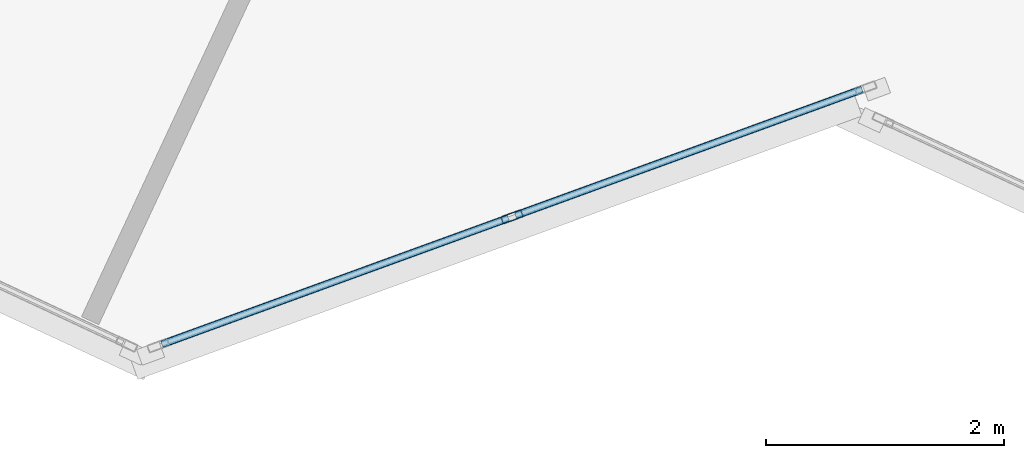
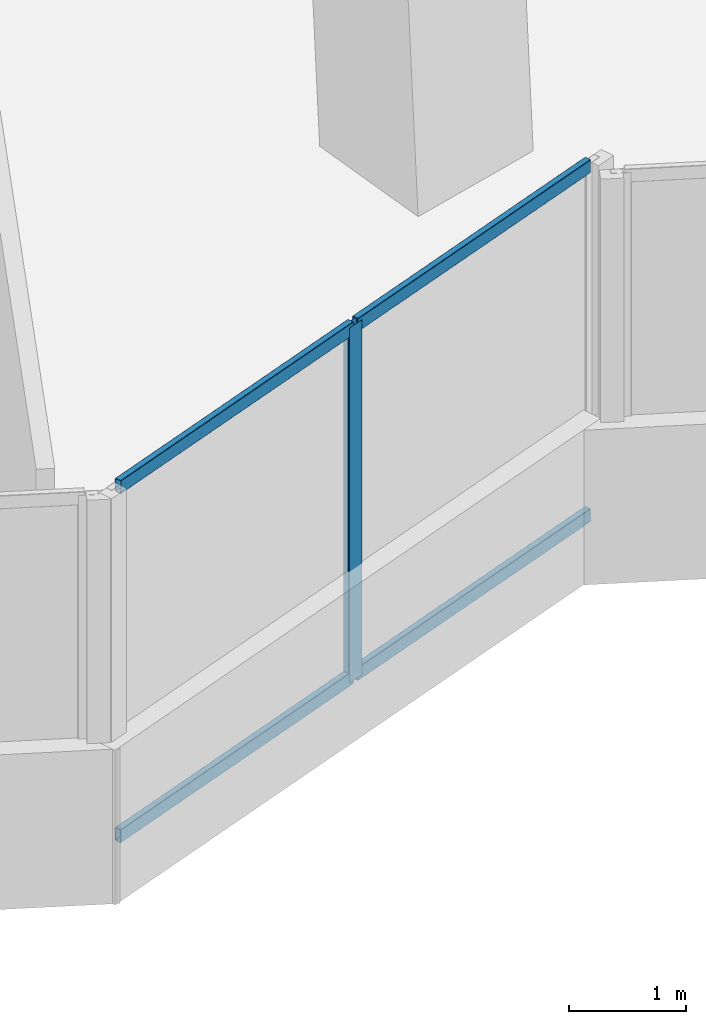
# One storey, part 5 of 23: 5 members, 1 element without a shape of its own.
"""IFC4 building model written with IfcOpenShell, lengths in metres."""

import ifcopenshell
import ifcopenshell.guid

model = None  # the IFC model being written
_history = None  # IfcOwnerHistory: only IFC2X3 demands one
_inside = {}  # id of a spatial element -> (the spatial element, [elements in it])
_under = {}  # id of a project, library or spatial element -> (it, [spatial elements below it])
_declared = {}  # id of a project -> (the project, [libraries it declares])
_typed = {}  # id of a type object -> (the type object, [elements of that type])
_made_of = {}  # id of a material, layer set ... -> (it, [elements and type objects made of it])


def new_model(schema):
    """Start an empty IFC model of exactly this schema.

    Asked for "IFC4X3", IfcOpenShell would pick the latest addendum, in which some entities
    have other attributes; the version numbers below select the first issue.
    IFC2X3 requires an IfcOwnerHistory on every rooted entity: one is made here for all.
    """
    global model, _history
    if schema == "IFC4X3":
        model = ifcopenshell.file(schema_version=(4, 3, 0, 0))
    else:
        model = ifcopenshell.file(schema=schema)
    _inside.clear()
    _under.clear()
    _declared.clear()
    _typed.clear()
    _made_of.clear()
    _history = None
    if model.schema == "IFC2X3":
        org = make("IfcOrganization", Name="unknown")
        user = make(
            "IfcPersonAndOrganization",
            ThePerson=make("IfcPerson", FamilyName="unknown"),
            TheOrganization=org,
        )
        app = make(
            "IfcApplication",
            ApplicationDeveloper=org,
            Version="unknown",
            ApplicationFullName="unknown",
            ApplicationIdentifier="unknown",
        )
        _history = make(
            "IfcOwnerHistory",
            OwningUser=user,
            OwningApplication=app,
            ChangeAction="ADDED",
            CreationDate=0,
        )
    return model


def make(cls, **values):
    """One entity of the class cls with the attributes given. An attribute that is None is left unset."""
    return model.create_entity(
        cls, **{name: value for name, value in values.items() if value is not None}
    )


def rooted(cls, **values):
    """An entity with a GlobalId (a new one), such as an element, a storey or a relation."""
    return make(cls, GlobalId=ifcopenshell.guid.new(), OwnerHistory=_history, **values)


def si_unit(unit_type, name, prefix=None):
    """IfcSIUnit, for example si_unit("LENGTHUNIT", "METRE", prefix="MILLI")."""
    return make("IfcSIUnit", UnitType=unit_type, Prefix=prefix, Name=name)


def assignment(units):
    """IfcUnitAssignment: the units of a project."""
    return None if units is None else make("IfcUnitAssignment", Units=units)


def point(xyz):
    """IfcCartesianPoint."""
    return None if xyz is None else make("IfcCartesianPoint", Coordinates=xyz)


def direction(xyz):
    """IfcDirection."""
    return None if xyz is None else make("IfcDirection", DirectionRatios=xyz)


def frame(location, z_axis=None, x_axis=None):
    """IfcAxis2Placement3D, a coordinate frame: its origin and axes. An axis left out is left unset."""
    return make(
        "IfcAxis2Placement3D",
        Location=point(location),
        Axis=direction(z_axis),
        RefDirection=direction(x_axis),
    )


def frame_2d(location, x_axis=None):
    """IfcAxis2Placement2D, a coordinate frame in the plane: its origin and x axis."""
    return make(
        "IfcAxis2Placement2D", Location=point(location), RefDirection=direction(x_axis)
    )


def origin():
    """The frame at (0, 0, 0) with its axes left unset."""
    return frame((0.0, 0.0, 0.0))


def origin_2d():
    """The frame at (0, 0) in the plane with its x axis left unset."""
    return frame_2d((0.0, 0.0))


def place(relative_to, where):
    """IfcLocalPlacement: puts the frame where relative to a parent placement (None: the world)."""
    return make(
        "IfcLocalPlacement", PlacementRelTo=relative_to, RelativePlacement=where
    )


def context(
    kind, dimensions, precision=None, world=None, true_north=None, identifier=None
):
    """IfcGeometricRepresentationContext, for example the 3D "Model" context."""
    return make(
        "IfcGeometricRepresentationContext",
        ContextIdentifier=identifier,
        ContextType=kind,
        CoordinateSpaceDimension=dimensions,
        Precision=precision,
        WorldCoordinateSystem=world,
        TrueNorth=true_north,
    )


def subcontext(parent, identifier, kind, view, scale=None):
    """IfcGeometricRepresentationSubContext, for example "Body" below "Model"."""
    return make(
        "IfcGeometricRepresentationSubContext",
        ContextIdentifier=identifier,
        ContextType=kind,
        ParentContext=parent,
        TargetScale=scale,
        TargetView=view,
    )


def project(units=None, contexts=None):
    """IfcProject with its units and contexts."""
    return rooted(
        "IfcProject",
        Name="project",
        RepresentationContexts=contexts,
        UnitsInContext=assignment(units),
    )


def spatial(cls, under=None, at=None, **own):
    """A site, building, storey or space (cls), placed at a placement, below another one or the project."""
    s = rooted(cls, ObjectPlacement=at, **own)
    if under is not None:
        _under.setdefault(under.id(), (under, []))[1].append(s)
    return s


def profile(cls, at=None, kind="AREA", **sizes):
    """A parametric profile (cls). Its sizes go by their IFC names, for example OverallWidth=200.0."""
    return make(cls, ProfileType=kind, Position=at, **sizes)


def hollow_rectangle(**sizes):
    """IfcRectangleHollowProfileDef."""
    return profile("IfcRectangleHollowProfileDef", **sizes)


def extrude(swept, where, along, depth):
    """IfcExtrudedAreaSolid: the profile swept, set in the frame where, extruded along a direction by depth."""
    return make(
        "IfcExtrudedAreaSolid",
        SweptArea=swept,
        Position=where,
        ExtrudedDirection=direction(along),
        Depth=depth,
    )


def shape(context_of_items, identifier, shape_type, items):
    """IfcShapeRepresentation: the items that make up one representation, for example the "Body"."""
    return make(
        "IfcShapeRepresentation",
        ContextOfItems=context_of_items,
        RepresentationIdentifier=identifier,
        RepresentationType=shape_type,
        Items=items,
    )


def source(mapping_origin, context_of_items, identifier, shape_type, items):
    """IfcRepresentationMap: a shape defined once, which mapped items show again and again."""
    return make(
        "IfcRepresentationMap",
        MappingOrigin=mapping_origin,
        MappedRepresentation=shape(context_of_items, identifier, shape_type, items),
    )


def transform(
    local_origin,
    x_axis=None,
    y_axis=None,
    z_axis=None,
    scale=None,
    scale2=None,
    scale3=None,
    uniform=True,
):
    """IfcCartesianTransformationOperator3D, or its non-uniform kind. x_axis, y_axis, z_axis: its Axis1, 2, 3."""
    if uniform:
        return make(
            "IfcCartesianTransformationOperator3D",
            Axis1=direction(x_axis),
            Axis2=direction(y_axis),
            LocalOrigin=point(local_origin),
            Scale=scale,
            Axis3=direction(z_axis),
        )
    return make(
        "IfcCartesianTransformationOperator3DnonUniform",
        Axis1=direction(x_axis),
        Axis2=direction(y_axis),
        LocalOrigin=point(local_origin),
        Scale=scale,
        Axis3=direction(z_axis),
        Scale2=scale2,
        Scale3=scale3,
    )


def mapped(mapping_source, mapping_target):
    """IfcMappedItem: shows the shape of a source again, moved by a transform."""
    return make(
        "IfcMappedItem", MappingSource=mapping_source, MappingTarget=mapping_target
    )


def material(Name=None, Category=None):
    """IfcMaterial."""
    return make("IfcMaterial", Name=Name, Category=Category)


def material_profile(
    of_material, cross_section, Name=None, Category=None, Priority=None
):
    """IfcMaterialProfile: a cross section and its material."""
    return make(
        "IfcMaterialProfile",
        Name=Name,
        Material=of_material,
        Profile=cross_section,
        Priority=Priority,
        Category=Category,
    )


def profile_set(profiles, Name=None, composite=None):
    """IfcMaterialProfileSet."""
    return make(
        "IfcMaterialProfileSet",
        Name=Name,
        MaterialProfiles=profiles,
        CompositeProfile=composite,
    )


def made_of(thing, what):
    """Note that an element or type object is made of a material, layer set ...; save() writes the relation."""
    if what is not None:
        _made_of.setdefault(what.id(), (what, []))[1].append(thing)
    return thing


def type_object(cls, material=None, **own):
    """A type object (cls), such as IfcWallType, which elements share."""
    return made_of(rooted(cls, **own), material)


def element(
    cls,
    number,
    at=None,
    inside=None,
    cuts=None,
    type_object=None,
    material=None,
    context=None,
    identifier="Body",
    shape_type=None,
    held_by="IfcProductDefinitionShape",
    body=None,
    shapes=None,
    **own,
):
    """One element of the class cls, such as IfcWall. Its Tag is "e" and its number.

    at: its placement. inside: the storey or other place that contains it. cuts: it is an
    opening in that element (IfcRelVoidsElement). A single representation is given by context,
    identifier, shape_type and body (its items); several are given by shapes. held_by: the class
    of the entity that holds the representations. save() writes the other relations.
    """
    e = rooted(cls, Tag="e%d" % number, ObjectPlacement=at, **own)
    if body is not None:
        shapes = [shape(context, identifier, shape_type, body)]
    if shapes is not None:
        e.Representation = make(held_by, Representations=shapes)
    if inside is not None:
        _inside.setdefault(inside.id(), (inside, []))[1].append(e)
    if cuts is not None:
        rooted(
            "IfcRelVoidsElement", RelatingBuildingElement=cuts, RelatedOpeningElement=e
        )
    if type_object is not None:
        _typed.setdefault(type_object.id(), (type_object, []))[1].append(e)
    return made_of(e, material)


def aggregate(whole, parts):
    """IfcRelAggregates: a whole, such as a stair, and the parts it consists of."""
    return rooted("IfcRelAggregates", RelatingObject=whole, RelatedObjects=parts)


def save(model, path):
    """Write the relations noted so far, then the file.

    IfcRelAggregates (storeys below a building ...), IfcRelContainedInSpatialStructure (elements
    in a storey), IfcRelDefinesByType, IfcRelAssociatesMaterial and IfcRelDeclares: one each for
    every whole, place, type object, material and project.
    """
    for whole, parts in _under.values():
        aggregate(whole, parts)
    for where, things in _inside.values():
        rooted(
            "IfcRelContainedInSpatialStructure",
            RelatedElements=things,
            RelatingStructure=where,
        )
    for kind, things in _typed.values():
        rooted("IfcRelDefinesByType", RelatedObjects=things, RelatingType=kind)
    for what, things in _made_of.values():
        rooted("IfcRelAssociatesMaterial", RelatedObjects=things, RelatingMaterial=what)
    for by, libraries in _declared.values():
        rooted("IfcRelDeclares", RelatingContext=by, RelatedDefinitions=libraries)
    model.write(path)


model = new_model("IFC4")

# Units and contexts
model_context = context("Model", 3, precision=1e-05, world=origin(), true_north=direction((0.0, 1.0)))
body_context = subcontext(model_context, "Body", "Model", "MODEL_VIEW")
ifc_project = project(units=[si_unit("LENGTHUNIT", "METRE"), si_unit("AREAUNIT", "SQUARE_METRE"), si_unit("VOLUMEUNIT", "CUBIC_METRE"), si_unit("PLANEANGLEUNIT", "RADIAN"), si_unit("MASSUNIT", "GRAM", prefix="KILO")], contexts=[model_context])

# Site, building, storey
site_placement = place(None, origin())
site = spatial("IfcSite", under=ifc_project, at=site_placement, CompositionType="ELEMENT")
building_placement = place(site_placement, origin())
building = spatial("IfcBuilding", under=site, at=building_placement, Name="Torre Montelarca", CompositionType="ELEMENT")
storey_placement = place(building_placement, frame((0.0, 0.0, 158.199951171875)))
storey = spatial("IfcBuildingStorey", under=building, at=storey_placement, Name="L35", CompositionType="ELEMENT", Elevation=158.199951171875)

# Curtain wall, members
ifc_material_1 = material(Name="Insulated low-E laminated glass", Category="glass")
curtain_wall_type = type_object("IfcCurtainWallType", Name="CW-SYS-Z2", PredefinedType="USERDEFINED", material=ifc_material_1)
curtain_wall_placement = place(storey_placement, origin())
curtain_wall = element("IfcCurtainWall", 1, at=curtain_wall_placement, inside=storey, type_object=curtain_wall_type, Name="L35 Curtain Wall Run CW-T3-L35-E02-B1", ObjectType="UNITISED GLAZING", PredefinedType="USERDEFINED")
ifc_material_2 = material(Name="Anodised aluminium AA 6063-T6", Category="aluminium")
ifc_material_profile_1 = material_profile(ifc_material_2, hollow_rectangle(XDim=0.06494140625, YDim=0.139892578125, WallThickness=0.00390625, InnerFilletRadius=0.00390625, OuterFilletRadius=0.008056640625, at=origin_2d()), Name="ALU65X140X4", Category="aluminium")
ifc_profile_set_1 = profile_set([ifc_material_profile_1], Name="Anodised aluminium AA 6063-T6")
member_type_1 = type_object("IfcMemberType", Name="CWT-ALU140", PredefinedType="USERDEFINED", material=ifc_profile_set_1)
shared_shape_1 = source(origin(), body_context, "Body", "SweptSolid", [
    extrude(hollow_rectangle(XDim=0.06494140625, YDim=0.139892578125, WallThickness=0.00390625, InnerFilletRadius=0.00390625, OuterFilletRadius=0.008056640625, at=origin_2d()), origin(), (0.0, 0.0, 1.0), 3.102294921875),
])
member_1_placement = place(storey_placement, frame((23.859619140625, 11.099853515625, 0.032470703125), z_axis=(0.939696884133, 0.342008429649, 0.0), x_axis=(-0.342008429649, 0.939696884133, 0.0)))
member_1 = element("IfcMember", 2, at=member_1_placement, type_object=member_type_1, Name="CW transom 1.1", ObjectType="TRANSOM", PredefinedType="USERDEFINED", context=body_context, shape_type="MappedRepresentation", body=[
    mapped(shared_shape_1, transform((0.0, 0.0, 0.0), scale=1.0)),
])
member_2_placement = place(storey_placement, frame((23.859619140625, 11.099853515625, 3.6875), z_axis=(0.939696884133, 0.342008429649, 0.0), x_axis=(-0.342008429649, 0.939696884133, 0.0)))
member_2 = element("IfcMember", 3, at=member_2_placement, type_object=member_type_1, Name="CW transom 1.2", ObjectType="TRANSOM", PredefinedType="USERDEFINED", context=body_context, shape_type="MappedRepresentation", body=[
    mapped(shared_shape_1, transform((0.0, 0.0, 0.0), scale=1.0)),
])
shared_shape_2 = source(origin(), body_context, "Body", "SweptSolid", [
    extrude(hollow_rectangle(XDim=0.06494140625, YDim=0.139892578125, WallThickness=0.00390625, InnerFilletRadius=0.00390625, OuterFilletRadius=0.008056640625, at=origin_2d()), origin(), (0.0, 0.0, 1.0), 3.102783203125),
])
member_3_placement = place(storey_placement, frame((26.8359375, 12.18310546875, 0.032470703125), z_axis=(0.93968079832, 0.342052623538, 0.0), x_axis=(-0.342052623538, 0.93968079832, 0.0)))
member_3 = element("IfcMember", 4, at=member_3_placement, type_object=member_type_1, Name="CW transom 2.1", ObjectType="TRANSOM", PredefinedType="USERDEFINED", context=body_context, shape_type="MappedRepresentation", body=[
    mapped(shared_shape_2, transform((0.0, 0.0, 0.0), scale=1.0)),
])
member_4_placement = place(storey_placement, frame((26.8359375, 12.18310546875, 3.6875), z_axis=(0.93968079832, 0.342052623538, 0.0), x_axis=(-0.342052623538, 0.93968079832, 0.0)))
member_4 = element("IfcMember", 5, at=member_4_placement, type_object=member_type_1, Name="CW transom 2.2", ObjectType="TRANSOM", PredefinedType="USERDEFINED", context=body_context, shape_type="MappedRepresentation", body=[
    mapped(shared_shape_2, transform((0.0, 0.0, 0.0), scale=1.0)),
])
ifc_material_profile_2 = material_profile(ifc_material_2, hollow_rectangle(XDim=0.06494140625, YDim=0.179931640625, WallThickness=0.00390625, InnerFilletRadius=0.00390625, OuterFilletRadius=0.008056640625, at=origin_2d()), Name="ALU65X180X4", Category="aluminium")
ifc_profile_set_2 = profile_set([ifc_material_profile_2], Name="Anodised aluminium AA 6063-T6")
member_type_2 = type_object("IfcMemberType", Name="CWM-ALU180", PredefinedType="MULLION", material=ifc_profile_set_2)
shared_shape_3 = source(origin(), body_context, "Body", "SweptSolid", [
    extrude(hollow_rectangle(XDim=0.06494140625, YDim=0.179931640625, WallThickness=0.00390625, InnerFilletRadius=0.00390625, OuterFilletRadius=0.008056640625, at=origin_2d()), origin(), (0.0, 0.0, 1.0), 3.719970703125),
])
member_5_placement = place(storey_placement, frame((26.805419921875, 12.172119140625, 0.0), z_axis=(0.0, 0.0, 1.0), x_axis=(-0.342017799316, 0.939693473932, 0.0)))
member_5 = element("IfcMember", 6, at=member_5_placement, type_object=member_type_2, Name="CW mullion 2", PredefinedType="MULLION", context=body_context, shape_type="MappedRepresentation", body=[
    mapped(shared_shape_3, transform((0.0, 0.0, 0.0), scale=1.0)),
])
aggregate(curtain_wall, [member_5, member_1, member_2, member_3, member_4])

save(model, "model.ifc")
